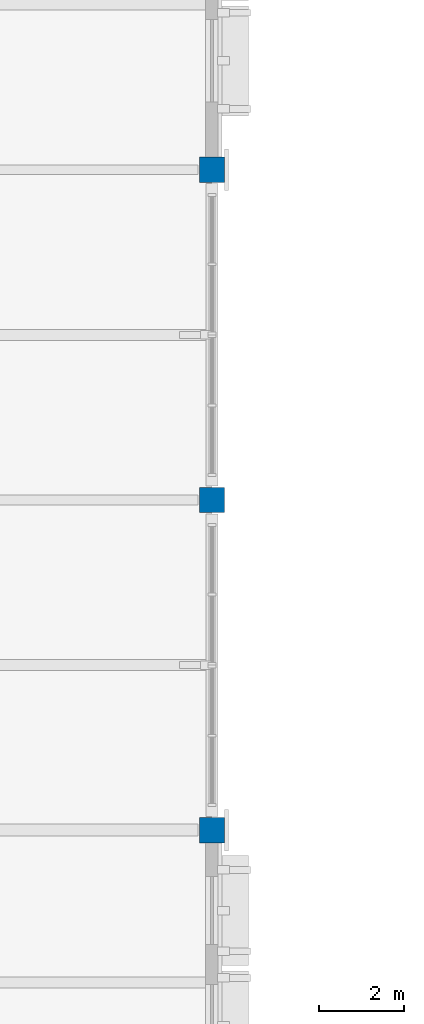
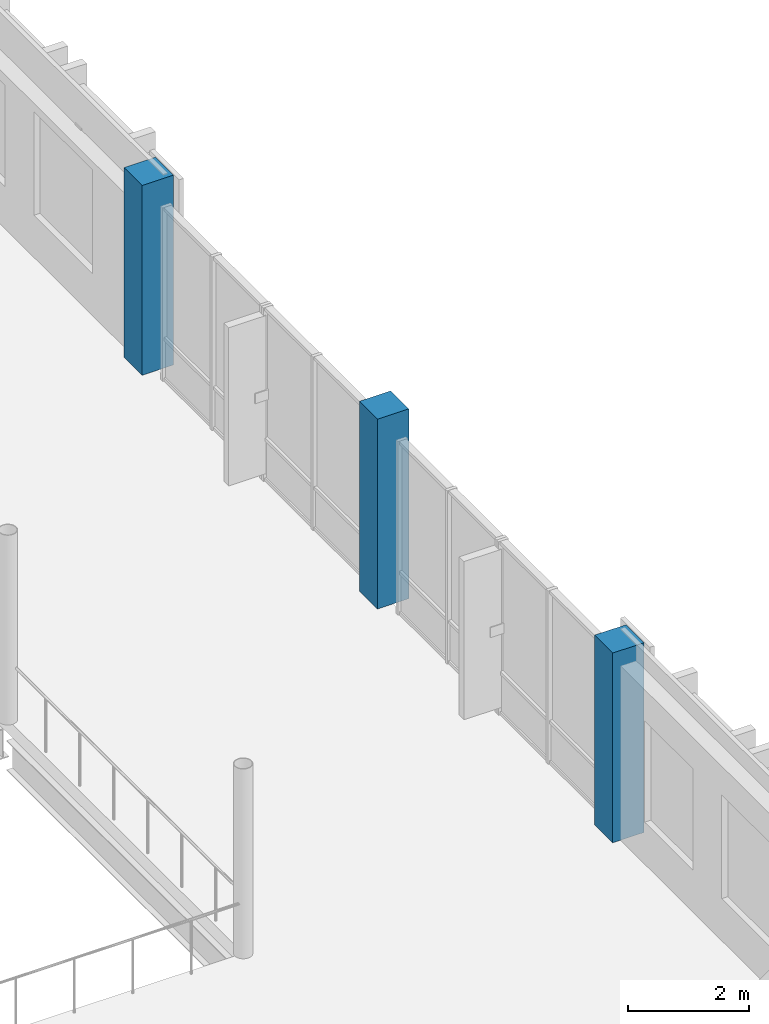
# One storey, part 4 of 64: 3 columns.
"""IFC4 building model written with IfcOpenShell, lengths in metres."""

from ifc_helpers import new_model, si_unit, direction, frame, origin, origin_2d, place, context, subcontext, project, spatial, rectangle, extrude, material, material_profile, profile_set, type_object, element, save


model = new_model("IFC4")

# Units and contexts
model_context = context("Model", 3, precision=1e-05, world=origin(), true_north=direction((0.0, 1.0)))
body_context = subcontext(model_context, "Body", "Model", "MODEL_VIEW")
ifc_project = project(units=[si_unit("LENGTHUNIT", "METRE"), si_unit("AREAUNIT", "SQUARE_METRE"), si_unit("VOLUMEUNIT", "CUBIC_METRE"), si_unit("PLANEANGLEUNIT", "RADIAN"), si_unit("MASSUNIT", "GRAM", prefix="KILO")], contexts=[model_context])

# Site, building, storey
site_placement = place(None, origin())
site = spatial("IfcSite", under=ifc_project, at=site_placement, CompositionType="ELEMENT")
building_placement = place(site_placement, origin())
building = spatial("IfcBuilding", under=site, at=building_placement, Name="Vervanel Yard Central Library", CompositionType="ELEMENT")
storey_placement = place(building_placement, frame((0.0, 0.0, 8.93994140625)))
storey = spatial("IfcBuildingStorey", under=building, at=storey_placement, Name="L02", CompositionType="ELEMENT", Elevation=8.93994140625)

# Columns
ifc_material = material(Name="Concrete C40/50", Category="concrete")
ifc_material_profile = material_profile(ifc_material, rectangle(XDim=0.60009765625, YDim=0.60009765625, at=origin_2d()), Name="RC 600x600", Category="concrete")
ifc_profile_set = profile_set([ifc_material_profile], Name="Concrete C40/50")
column_type = type_object("IfcColumnType", Name="Concrete Column 600x600", PredefinedType="COLUMN", material=ifc_profile_set)
for number, where, z_axis, x_axis, name in (
    (1, (36.0, 43.199951171875, 0.0), (0.0, 0.0, 1.0), (1.0, 0.0, 0.0), "L02 Concrete Column 600x600 (36.0, 43.2)"),
    (2, (36.0, 51.0, 0.0), (0.0, 0.0, 1.0), (1.0, 0.0, 0.0), "L02 Concrete Column 600x600 (36.0, 51.0)"),
    (3, (36.0, 58.800048828125, 0.0), (0.0, 0.0, 1.0), (1.0, 0.0, 0.0), "L02 Concrete Column 600x600 (36.0, 58.8)"),
):
    element("IfcColumn", number, at=place(storey_placement, frame(where, z_axis=z_axis, x_axis=x_axis)), inside=storey, type_object=column_type, Name=name, PredefinedType="COLUMN", context=body_context, shape_type="SweptSolid", body=[
        extrude(rectangle(XDim=0.60009765625, YDim=0.60009765625, at=origin_2d()), origin(), (0.0, 0.0, 1.0), 3.840087890625),
    ])

save(model, "model.ifc")
